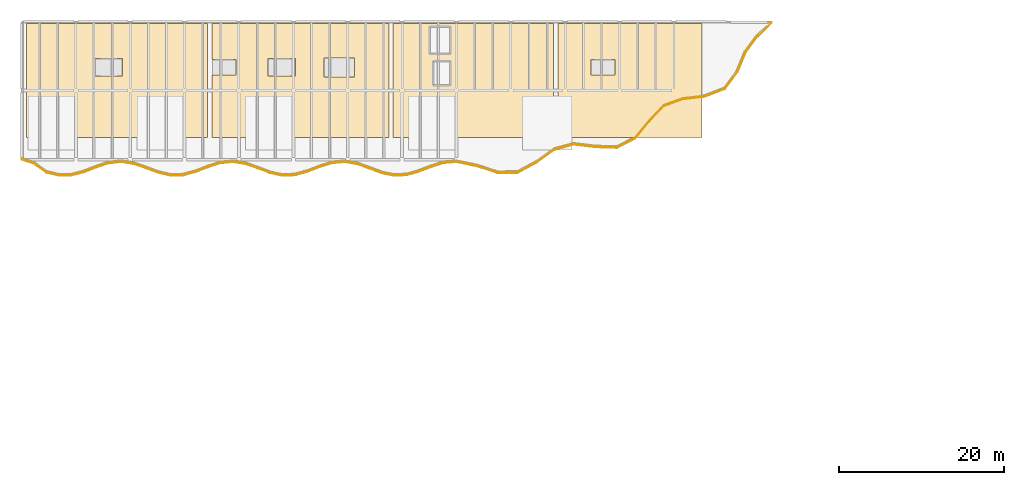
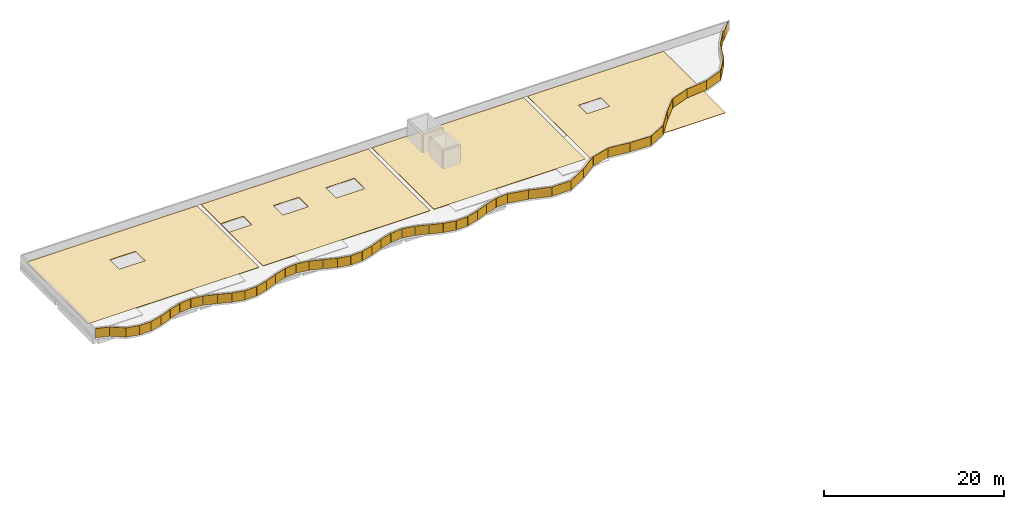
# One storey, part 19 of 19: 57 coverings.
"""IFC4 building model written with IfcOpenShell, lengths in metres."""

from ifc_helpers import new_model, si_unit, direction, frame, origin, origin_2d, place, context, subcontext, project, spatial, polyline, rectangle, outline, extrude, material, layer, layer_set, type_object, element, save


model = new_model("IFC4")

# Units and contexts
model_context = context("Model", 3, precision=1e-05, world=origin(), true_north=direction((0.0, 1.0)))
body_context = subcontext(model_context, "Body", "Model", "MODEL_VIEW")
ifc_project = project(units=[si_unit("LENGTHUNIT", "METRE"), si_unit("AREAUNIT", "SQUARE_METRE"), si_unit("VOLUMEUNIT", "CUBIC_METRE"), si_unit("PLANEANGLEUNIT", "RADIAN"), si_unit("MASSUNIT", "GRAM", prefix="KILO")], contexts=[model_context])

# Site, building, storey
site_placement = place(None, origin())
site = spatial("IfcSite", under=ifc_project, at=site_placement, CompositionType="ELEMENT")
building_placement = place(site_placement, origin())
building = spatial("IfcBuilding", under=site, at=building_placement, Name="Qaldarim Faculty of Natural and Applied Sciences", CompositionType="ELEMENT")
storey_placement = place(building_placement, frame((0.0, 0.0, 27.0)))
storey = spatial("IfcBuildingStorey", under=building, at=storey_placement, Name="L06", CompositionType="ELEMENT", Elevation=27.0)

# Coverings
ifc_material_1 = material(Name="White architectural precast concrete C40/50", Category="concrete")
ifc_layer_1 = layer(ifc_material_1, 0.06005859375)
ifc_layer_set_1 = layer_set([ifc_layer_1], Name="White architectural precast concrete C40/50")
covering_type_1 = type_object("IfcCoveringType", Name="LimestoneSpandrelCladding-60", PredefinedType="CLADDING", material=ifc_layer_set_1)
covering_1_placement = place(storey_placement, frame((60.1650390625, 100.574951171875, 0.0), z_axis=(0.0, 0.0, 1.0), x_axis=(0.947422707995, -0.319984706472, 0.0)))
element("IfcCovering", 1, at=covering_1_placement, inside=storey, type_object=covering_type_1, Name="White limestone wave band fascia L06 chord 01", PredefinedType="CLADDING", context=body_context, shape_type="SweptSolid", body=[
    extrude(rectangle(XDim=1.554931640625, YDim=0.06005859375, at=origin_2d()), origin(), (0.0, 0.0, 1.0), 1.25),
])
covering_2_placement = place(storey_placement, frame((61.679931640625, 99.77490234375, 0.0), z_axis=(0.0, 0.0, 1.0), x_axis=(0.812450016325, -0.583030849075, 0.0)))
element("IfcCovering", 2, at=covering_2_placement, inside=storey, type_object=covering_type_1, Name="White limestone wave band fascia L06 chord 02", PredefinedType="CLADDING", context=body_context, shape_type="SweptSolid", body=[
    extrude(rectangle(XDim=1.81005859375, YDim=0.06005859375, at=origin_2d()), origin(), (0.0, 0.0, 1.0), 1.25),
])
covering_3_placement = place(storey_placement, frame((63.179931640625, 99.054931640625, 0.0), z_axis=(0.0, 0.0, 1.0), x_axis=(0.972006126711, -0.234955505654, 0.0)))
element("IfcCovering", 3, at=covering_3_placement, inside=storey, type_object=covering_type_1, Name="White limestone wave band fascia L06 chord 03", PredefinedType="CLADDING", context=body_context, shape_type="SweptSolid", body=[
    extrude(rectangle(XDim=1.514892578125, YDim=0.06005859375, at=origin_2d()), origin(), (0.0, 0.0, 1.0), 1.25),
])
covering_4_placement = place(storey_placement, frame((64.679931640625, 98.885009765625, 0.0), z_axis=(0.0, 0.0, 1.0), x_axis=(0.999950688785, 0.009930760208, 0.0)))
element("IfcCovering", 4, at=covering_4_placement, inside=storey, type_object=covering_type_1, Name="White limestone wave band fascia L06 chord 04", PredefinedType="CLADDING", context=body_context, shape_type="SweptSolid", body=[
    extrude(rectangle(XDim=1.469970703125, YDim=0.06005859375, at=origin_2d()), origin(), (0.0, 0.0, 1.0), 1.25),
])
covering_5_placement = place(storey_placement, frame((66.179931640625, 99.080078125, 0.0), z_axis=(0.0, 0.0, 1.0), x_axis=(0.968998485261, 0.247066662181, 0.0)))
element("IfcCovering", 5, at=covering_5_placement, inside=storey, type_object=covering_type_1, Name="White limestone wave band fascia L06 chord 05", PredefinedType="CLADDING", context=body_context, shape_type="SweptSolid", body=[
    extrude(rectangle(XDim=1.52001953125, YDim=0.06005859375, at=origin_2d()), origin(), (0.0, 0.0, 1.0), 1.25),
])
covering_6_placement = place(storey_placement, frame((67.68505859375, 99.56005859375, 0.0), z_axis=(0.0, 0.0, 1.0), x_axis=(0.933104248084, 0.359605981886, 0.0)))
element("IfcCovering", 6, at=covering_6_placement, inside=storey, type_object=covering_type_1, Name="White limestone wave band fascia L06 chord 06", PredefinedType="CLADDING", context=body_context, shape_type="SweptSolid", body=[
    extrude(rectangle(XDim=1.574951171875, YDim=0.06005859375, at=origin_2d()), origin(), (0.0, 0.0, 1.0), 1.25),
])
covering_7_placement = place(storey_placement, frame((69.195068359375, 100.10498046875, 0.0), z_axis=(0.0, 0.0, 1.0), x_axis=(0.950244253402, 0.311505792684, 0.0)))
element("IfcCovering", 7, at=covering_7_placement, inside=storey, type_object=covering_type_1, Name="White limestone wave band fascia L06 chord 07", PredefinedType="CLADDING", context=body_context, shape_type="SweptSolid", body=[
    extrude(rectangle(XDim=1.550048828125, YDim=0.06005859375, at=origin_2d()), origin(), (0.0, 0.0, 1.0), 1.25),
])
for number, where, z_axis, x_axis, name in (
    (8, (70.715087890625, 100.43994140625, 0.0), (0.0, 0.0, 1.0), (0.99296964058, 0.118369307199, 0.0), "White limestone wave band fascia L06 chord 08"),
    (9, (72.22509765625, 100.419921875, 0.0), (0.0, 0.0, 1.0), (0.989008122724, -0.147861195676, 0.0), "White limestone wave band fascia L06 chord 09"),
):
    element("IfcCovering", number, at=place(storey_placement, frame(where, z_axis=z_axis, x_axis=x_axis)), inside=storey, type_object=covering_type_1, Name=name, PredefinedType="CLADDING", context=body_context, shape_type="SweptSolid", body=[
        extrude(rectangle(XDim=1.47998046875, YDim=0.06005859375, at=origin_2d()), origin(), (0.0, 0.0, 1.0), 1.25),
    ])
covering_8_placement = place(storey_placement, frame((73.739990234375, 100.0400390625, 0.0), z_axis=(0.0, 0.0, 1.0), x_axis=(0.945507210551, -0.325601159083, 0.0)))
element("IfcCovering", 10, at=covering_8_placement, inside=storey, type_object=covering_type_1, Name="White limestone wave band fascia L06 chord 10", PredefinedType="CLADDING", context=body_context, shape_type="SweptSolid", body=[
    extrude(rectangle(XDim=1.554931640625, YDim=0.06005859375, at=origin_2d()), origin(), (0.0, 0.0, 1.0), 1.25),
])
covering_9_placement = place(storey_placement, frame((75.25, 99.4951171875, 0.0), z_axis=(0.0, 0.0, 1.0), x_axis=(0.935561196091, -0.353164619362, 0.0)))
element("IfcCovering", 11, at=covering_9_placement, inside=storey, type_object=covering_type_1, Name="White limestone wave band fascia L06 chord 11", PredefinedType="CLADDING", context=body_context, shape_type="SweptSolid", body=[
    extrude(rectangle(XDim=1.574951171875, YDim=0.06005859375, at=origin_2d()), origin(), (0.0, 0.0, 1.0), 1.25),
])
covering_10_placement = place(storey_placement, frame((76.7548828125, 99.0400390625, 0.0), z_axis=(0.0, 0.0, 1.0), x_axis=(0.97417338697, -0.225801266869, 0.0)))
element("IfcCovering", 12, at=covering_10_placement, inside=storey, type_object=covering_type_1, Name="White limestone wave band fascia L06 chord 12", PredefinedType="CLADDING", context=body_context, shape_type="SweptSolid", body=[
    extrude(rectangle(XDim=1.510009765625, YDim=0.06005859375, at=origin_2d()), origin(), (0.0, 0.0, 1.0), 1.25),
])
covering_11_placement = place(storey_placement, frame((78.2548828125, 98.885009765625, 0.0), z_axis=(0.0, 0.0, 1.0), x_axis=(0.999729782402, 0.023245691612, 0.0)))
element("IfcCovering", 13, at=covering_11_placement, inside=storey, type_object=covering_type_1, Name="White limestone wave band fascia L06 chord 13", PredefinedType="CLADDING", context=body_context, shape_type="SweptSolid", body=[
    extrude(rectangle(XDim=1.465087890625, YDim=0.06005859375, at=origin_2d()), origin(), (0.0, 0.0, 1.0), 1.25),
])
covering_12_placement = place(storey_placement, frame((79.760009765625, 99.10009765625, 0.0), z_axis=(0.0, 0.0, 1.0), x_axis=(0.965862556031, 0.259055057578, 0.0)))
element("IfcCovering", 14, at=covering_12_placement, inside=storey, type_object=covering_type_1, Name="White limestone wave band fascia L06 chord 14", PredefinedType="CLADDING", context=body_context, shape_type="SweptSolid", body=[
    extrude(rectangle(XDim=1.52490234375, YDim=0.06005859375, at=origin_2d()), origin(), (0.0, 0.0, 1.0), 1.25),
])
covering_13_placement = place(storey_placement, frame((81.264892578125, 99.590087890625, 0.0), z_axis=(0.0, 0.0, 1.0), x_axis=(0.933505349614, 0.358563470311, 0.0)))
element("IfcCovering", 15, at=covering_13_placement, inside=storey, type_object=covering_type_1, Name="White limestone wave band fascia L06 chord 15", PredefinedType="CLADDING", context=body_context, shape_type="SweptSolid", body=[
    extrude(rectangle(XDim=1.580078125, YDim=0.06005859375, at=origin_2d()), origin(), (0.0, 0.0, 1.0), 1.25),
])
covering_14_placement = place(storey_placement, frame((82.77001953125, 100.1298828125, 0.0), z_axis=(0.0, 0.0, 1.0), x_axis=(0.951798041205, 0.306725428939, 0.0)))
element("IfcCovering", 16, at=covering_14_placement, inside=storey, type_object=covering_type_1, Name="White limestone wave band fascia L06 chord 16", PredefinedType="CLADDING", context=body_context, shape_type="SweptSolid", body=[
    extrude(rectangle(XDim=1.5400390625, YDim=0.06005859375, at=origin_2d()), origin(), (0.0, 0.0, 1.0), 1.25),
])
covering_15_placement = place(storey_placement, frame((84.284912109375, 100.449951171875, 0.0), z_axis=(0.0, 0.0, 1.0), x_axis=(0.994772555338, 0.102115440296, 0.0)))
element("IfcCovering", 17, at=covering_15_placement, inside=storey, type_object=covering_type_1, Name="White limestone wave band fascia L06 chord 17", PredefinedType="CLADDING", context=body_context, shape_type="SweptSolid", body=[
    extrude(rectangle(XDim=1.47998046875, YDim=0.06005859375, at=origin_2d()), origin(), (0.0, 0.0, 1.0), 1.25),
])
covering_16_placement = place(storey_placement, frame((85.804931640625, 100.405029296875, 0.0), z_axis=(0.0, 0.0, 1.0), x_axis=(0.987603556842, -0.156968832936, 0.0)))
element("IfcCovering", 18, at=covering_16_placement, inside=storey, type_object=covering_type_1, Name="White limestone wave band fascia L06 chord 18", PredefinedType="CLADDING", context=body_context, shape_type="SweptSolid", body=[
    extrude(rectangle(XDim=1.489990234375, YDim=0.06005859375, at=origin_2d()), origin(), (0.0, 0.0, 1.0), 1.25),
])
covering_17_placement = place(storey_placement, frame((87.320068359375, 100.014892578125, 0.0), z_axis=(0.0, 0.0, 1.0), x_axis=(0.943564198822, -0.331189677831, 0.0)))
element("IfcCovering", 19, at=covering_17_placement, inside=storey, type_object=covering_type_1, Name="White limestone wave band fascia L06 chord 19", PredefinedType="CLADDING", context=body_context, shape_type="SweptSolid", body=[
    extrude(rectangle(XDim=1.56005859375, YDim=0.06005859375, at=origin_2d()), origin(), (0.0, 0.0, 1.0), 1.25),
])
covering_18_placement = place(storey_placement, frame((88.830078125, 99.469970703125, 0.0), z_axis=(0.0, 0.0, 1.0), x_axis=(0.936200698605, -0.351465861686, 0.0)))
element("IfcCovering", 20, at=covering_18_placement, inside=storey, type_object=covering_type_1, Name="White limestone wave band fascia L06 chord 20", PredefinedType="CLADDING", context=body_context, shape_type="SweptSolid", body=[
    extrude(rectangle(XDim=1.570068359375, YDim=0.06005859375, at=origin_2d()), origin(), (0.0, 0.0, 1.0), 1.25),
])
covering_19_placement = place(storey_placement, frame((90.330078125, 99.02001953125, 0.0), z_axis=(0.0, 0.0, 1.0), x_axis=(0.97626199682, -0.216592967485, 0.0)))
element("IfcCovering", 21, at=covering_19_placement, inside=storey, type_object=covering_type_1, Name="White limestone wave band fascia L06 chord 21", PredefinedType="CLADDING", context=body_context, shape_type="SweptSolid", body=[
    extrude(rectangle(XDim=1.5048828125, YDim=0.06005859375, at=origin_2d()), origin(), (0.0, 0.0, 1.0), 1.25),
])
covering_20_placement = place(storey_placement, frame((91.8349609375, 98.885009765625, 0.0), z_axis=(0.0, 0.0, 1.0), x_axis=(0.999211810795, 0.039695807925, 0.0)))
element("IfcCovering", 22, at=covering_20_placement, inside=storey, type_object=covering_type_1, Name="White limestone wave band fascia L06 chord 22", PredefinedType="CLADDING", context=body_context, shape_type="SweptSolid", body=[
    extrude(rectangle(XDim=1.469970703125, YDim=0.06005859375, at=origin_2d()), origin(), (0.0, 0.0, 1.0), 1.25),
])
covering_21_placement = place(storey_placement, frame((93.3349609375, 99.1201171875, 0.0), z_axis=(0.0, 0.0, 1.0), x_axis=(0.964021209386, 0.265825333355, 0.0)))
element("IfcCovering", 23, at=covering_21_placement, inside=storey, type_object=covering_type_1, Name="White limestone wave band fascia L06 chord 23", PredefinedType="CLADDING", context=body_context, shape_type="SweptSolid", body=[
    extrude(rectangle(XDim=1.52001953125, YDim=0.06005859375, at=origin_2d()), origin(), (0.0, 0.0, 1.0), 1.25),
])
covering_22_placement = place(storey_placement, frame((94.840087890625, 99.6201171875, 0.0), z_axis=(0.0, 0.0, 1.0), x_axis=(0.932468891499, 0.361250282195, 0.0)))
element("IfcCovering", 24, at=covering_22_placement, inside=storey, type_object=covering_type_1, Name="White limestone wave band fascia L06 chord 24", PredefinedType="CLADDING", context=body_context, shape_type="SweptSolid", body=[
    extrude(rectangle(XDim=1.580078125, YDim=0.06005859375, at=origin_2d()), origin(), (0.0, 0.0, 1.0), 1.25),
])
covering_23_placement = place(storey_placement, frame((96.35498046875, 100.14990234375, 0.0), z_axis=(0.0, 0.0, 1.0), x_axis=(0.954817873784, 0.297191567684, 0.0)))
element("IfcCovering", 25, at=covering_23_placement, inside=storey, type_object=covering_type_1, Name="White limestone wave band fascia L06 chord 25", PredefinedType="CLADDING", context=body_context, shape_type="SweptSolid", body=[
    extrude(rectangle(XDim=1.5400390625, YDim=0.06005859375, at=origin_2d()), origin(), (0.0, 0.0, 1.0), 1.25),
])
covering_24_placement = place(storey_placement, frame((97.864990234375, 100.455078125, 0.0), z_axis=(0.0, 0.0, 1.0), x_axis=(0.995729533332, 0.092318451297, 0.0)))
element("IfcCovering", 26, at=covering_24_placement, inside=storey, type_object=covering_type_1, Name="White limestone wave band fascia L06 chord 26", PredefinedType="CLADDING", context=body_context, shape_type="SweptSolid", body=[
    extrude(rectangle(XDim=1.47509765625, YDim=0.06005859375, at=origin_2d()), origin(), (0.0, 0.0, 1.0), 1.25),
])
covering_25_placement = place(storey_placement, frame((99.385009765625, 100.39501953125, 0.0), z_axis=(0.0, 0.0, 1.0), x_axis=(0.984850153867, -0.173407538556, 0.0)))
element("IfcCovering", 27, at=covering_25_placement, inside=storey, type_object=covering_type_1, Name="White limestone wave band fascia L06 chord 27", PredefinedType="CLADDING", context=body_context, shape_type="SweptSolid", body=[
    extrude(rectangle(XDim=1.489990234375, YDim=0.06005859375, at=origin_2d()), origin(), (0.0, 0.0, 1.0), 1.25),
])
covering_26_placement = place(storey_placement, frame((100.89501953125, 99.989990234375, 0.0), z_axis=(0.0, 0.0, 1.0), x_axis=(0.942589045204, -0.333954924894, 0.0)))
element("IfcCovering", 28, at=covering_26_placement, inside=storey, type_object=covering_type_1, Name="White limestone wave band fascia L06 chord 28", PredefinedType="CLADDING", context=body_context, shape_type="SweptSolid", body=[
    extrude(rectangle(XDim=1.56005859375, YDim=0.06005859375, at=origin_2d()), origin(), (0.0, 0.0, 1.0), 1.25),
])
covering_27_placement = place(storey_placement, frame((102.405029296875, 99.43994140625, 0.0), z_axis=(0.0, 0.0, 1.0), x_axis=(0.937597957391, -0.347721253731, 0.0)))
element("IfcCovering", 29, at=covering_27_placement, inside=storey, type_object=covering_type_1, Name="White limestone wave band fascia L06 chord 29", PredefinedType="CLADDING", context=body_context, shape_type="SweptSolid", body=[
    extrude(rectangle(XDim=1.570068359375, YDim=0.06005859375, at=origin_2d()), origin(), (0.0, 0.0, 1.0), 1.25),
])
covering_28_placement = place(storey_placement, frame((103.909912109375, 99.0048828125, 0.0), z_axis=(0.0, 0.0, 1.0), x_axis=(0.978792371297, -0.204854811734, 0.0)))
element("IfcCovering", 30, at=covering_28_placement, inside=storey, type_object=covering_type_1, Name="White limestone wave band fascia L06 chord 30", PredefinedType="CLADDING", context=body_context, shape_type="SweptSolid", body=[
    extrude(rectangle(XDim=1.5, YDim=0.06005859375, at=origin_2d()), origin(), (0.0, 0.0, 1.0), 1.25),
])
covering_29_placement = place(storey_placement, frame((105.409912109375, 98.889892578125, 0.0), z_axis=(0.0, 0.0, 1.0), x_axis=(0.998769194721, 0.049599351563, 0.0)))
element("IfcCovering", 31, at=covering_29_placement, inside=storey, type_object=covering_type_1, Name="White limestone wave band fascia L06 chord 31", PredefinedType="CLADDING", context=body_context, shape_type="SweptSolid", body=[
    extrude(rectangle(XDim=1.469970703125, YDim=0.06005859375, at=origin_2d()), origin(), (0.0, 0.0, 1.0), 1.25),
])
covering_30_placement = place(storey_placement, frame((106.909912109375, 99.139892578125, 0.0), z_axis=(0.0, 0.0, 1.0), x_axis=(0.960919392643, 0.276828323772, 0.0)))
element("IfcCovering", 32, at=covering_30_placement, inside=storey, type_object=covering_type_1, Name="White limestone wave band fascia L06 chord 32", PredefinedType="CLADDING", context=body_context, shape_type="SweptSolid", body=[
    extrude(rectangle(XDim=1.530029296875, YDim=0.06005859375, at=origin_2d()), origin(), (0.0, 0.0, 1.0), 1.25),
])
covering_31_placement = place(storey_placement, frame((108.419921875, 99.64990234375, 0.0), z_axis=(0.0, 0.0, 1.0), x_axis=(0.932468891499, 0.361250282195, 0.0)))
element("IfcCovering", 33, at=covering_31_placement, inside=storey, type_object=covering_type_1, Name="White limestone wave band fascia L06 chord 33", PredefinedType="CLADDING", context=body_context, shape_type="SweptSolid", body=[
    extrude(rectangle(XDim=1.580078125, YDim=0.06005859375, at=origin_2d()), origin(), (0.0, 0.0, 1.0), 1.25),
])
covering_32_placement = place(storey_placement, frame((109.929931640625, 100.175048828125, 0.0), z_axis=(0.0, 0.0, 1.0), x_axis=(0.956325165028, 0.292304941344, 0.0)))
element("IfcCovering", 34, at=covering_32_placement, inside=storey, type_object=covering_type_1, Name="White limestone wave band fascia L06 chord 34", PredefinedType="CLADDING", context=body_context, shape_type="SweptSolid", body=[
    extrude(rectangle(XDim=1.534912109375, YDim=0.06005859375, at=origin_2d()), origin(), (0.0, 0.0, 1.0), 1.25),
])
covering_33_placement = place(storey_placement, frame((111.445068359375, 100.465087890625, 0.0), z_axis=(0.0, 0.0, 1.0), x_axis=(0.997112699688, 0.075935921145, 0.0)))
element("IfcCovering", 35, at=covering_33_placement, inside=storey, type_object=covering_type_1, Name="White limestone wave band fascia L06 chord 35", PredefinedType="CLADDING", context=body_context, shape_type="SweptSolid", body=[
    extrude(rectangle(XDim=1.47509765625, YDim=0.06005859375, at=origin_2d()), origin(), (0.0, 0.0, 1.0), 1.25),
])
covering_34_placement = place(storey_placement, frame((113.425048828125, 100.264892578125, 0.0), z_axis=(0.0, 0.0, 1.0), x_axis=(0.979080999763, -0.203470872369, 0.0)))
element("IfcCovering", 36, at=covering_34_placement, inside=storey, type_object=covering_type_1, Name="White limestone wave band fascia L06 chord 36", PredefinedType="CLADDING", context=body_context, shape_type="SweptSolid", body=[
    extrude(rectangle(XDim=2.43994140625, YDim=0.06005859375, at=origin_2d()), origin(), (0.0, 0.0, 1.0), 1.25),
])
covering_35_placement = place(storey_placement, frame((115.89990234375, 99.610107421875, 0.0), z_axis=(0.0, 0.0, 1.0), x_axis=(0.95129892432, -0.308269941102, 0.0)))
element("IfcCovering", 37, at=covering_35_placement, inside=storey, type_object=covering_type_1, Name="White limestone wave band fascia L06 chord 37", PredefinedType="CLADDING", context=body_context, shape_type="SweptSolid", body=[
    extrude(rectangle(XDim=2.60498046875, YDim=0.06005859375, at=origin_2d()), origin(), (0.0, 0.0, 1.0), 1.25),
])
covering_36_placement = place(storey_placement, frame((118.39501953125, 99.205078125, 0.0), z_axis=(0.0, 0.0, 1.0), x_axis=(0.99999194288, 0.004014246498, 0.0)))
element("IfcCovering", 38, at=covering_36_placement, inside=storey, type_object=covering_type_1, Name="White limestone wave band fascia L06 chord 38", PredefinedType="CLADDING", context=body_context, shape_type="SweptSolid", body=[
    extrude(rectangle(XDim=2.455078125, YDim=0.06005859375, at=origin_2d()), origin(), (0.0, 0.0, 1.0), 1.25),
])
covering_37_placement = place(storey_placement, frame((120.77490234375, 99.830078125, 0.0), z_axis=(0.0, 0.0, 1.0), x_axis=(0.879424342577, 0.476038680869, 0.0)))
element("IfcCovering", 39, at=covering_37_placement, inside=storey, type_object=covering_type_1, Name="White limestone wave band fascia L06 chord 39", PredefinedType="CLADDING", context=body_context, shape_type="SweptSolid", body=[
    extrude(rectangle(XDim=2.574951171875, YDim=0.06005859375, at=origin_2d()), origin(), (0.0, 0.0, 1.0), 1.25),
])
covering_38_placement = place(storey_placement, frame((123.0, 101.22509765625, 0.0), z_axis=(0.0, 0.0, 1.0), x_axis=(0.812073342053, 0.583555384799, 0.0)))
element("IfcCovering", 40, at=covering_38_placement, inside=storey, type_object=covering_type_1, Name="White limestone wave band fascia L06 chord 40", PredefinedType="CLADDING", context=body_context, shape_type="SweptSolid", body=[
    extrude(rectangle(XDim=2.610107421875, YDim=0.06005859375, at=origin_2d()), origin(), (0.0, 0.0, 1.0), 1.25),
])
covering_39_placement = place(storey_placement, frame((125.239990234375, 102.31494140625, 0.0), z_axis=(0.0, 0.0, 1.0), x_axis=(0.964377582333, 0.264529542194, 0.0)))
element("IfcCovering", 41, at=covering_39_placement, inside=storey, type_object=covering_type_1, Name="White limestone wave band fascia L06 chord 41", PredefinedType="CLADDING", context=body_context, shape_type="SweptSolid", body=[
    extrude(rectangle(XDim=2.360107421875, YDim=0.06005859375, at=origin_2d()), origin(), (0.0, 0.0, 1.0), 1.25),
])
covering_40_placement = place(storey_placement, frame((127.719970703125, 102.47998046875, 0.0), z_axis=(0.0, 0.0, 1.0), x_axis=(0.992903375823, -0.118923867576, 0.0)))
element("IfcCovering", 42, at=covering_40_placement, inside=storey, type_object=covering_type_1, Name="White limestone wave band fascia L06 chord 42", PredefinedType="CLADDING", context=body_context, shape_type="SweptSolid", body=[
    extrude(rectangle(XDim=2.610107421875, YDim=0.06005859375, at=origin_2d()), origin(), (0.0, 0.0, 1.0), 1.25),
])
covering_41_placement = place(storey_placement, frame((130.364990234375, 102.280029296875, 0.0), z_axis=(0.0, 0.0, 1.0), x_axis=(0.999487744865, -0.032003872646, 0.0)))
element("IfcCovering", 43, at=covering_41_placement, inside=storey, type_object=covering_type_1, Name="White limestone wave band fascia L06 chord 43", PredefinedType="CLADDING", context=body_context, shape_type="SweptSolid", body=[
    extrude(rectangle(XDim=2.614990234375, YDim=0.06005859375, at=origin_2d()), origin(), (0.0, 0.0, 1.0), 1.25),
])
covering_42_placement = place(storey_placement, frame((132.784912109375, 102.804931640625, 0.0), z_axis=(0.0, 0.0, 1.0), x_axis=(0.888328879254, 0.459207798588, 0.0)))
element("IfcCovering", 44, at=covering_42_placement, inside=storey, type_object=covering_type_1, Name="White limestone wave band fascia L06 chord 44", PredefinedType="CLADDING", context=body_context, shape_type="SweptSolid", body=[
    extrude(rectangle(XDim=2.455078125, YDim=0.06005859375, at=origin_2d()), origin(), (0.0, 0.0, 1.0), 1.25),
])
covering_43_placement = place(storey_placement, frame((134.7451171875, 104.4150390625, 0.0), z_axis=(0.0, 0.0, 1.0), x_axis=(0.636737889677, 0.771080319973, 0.0)))
element("IfcCovering", 45, at=covering_43_placement, inside=storey, type_object=covering_type_1, Name="White limestone wave band fascia L06 chord 45", PredefinedType="CLADDING", context=body_context, shape_type="SweptSolid", body=[
    extrude(rectangle(XDim=2.675048828125, YDim=0.06005859375, at=origin_2d()), origin(), (0.0, 0.0, 1.0), 1.25),
])
covering_44_placement = place(storey_placement, frame((136.489990234375, 106.385009765625, 0.0), z_axis=(0.0, 0.0, 1.0), x_axis=(0.689214982334, 0.724556904685, 0.0)))
element("IfcCovering", 46, at=covering_44_placement, inside=storey, type_object=covering_type_1, Name="White limestone wave band fascia L06 chord 46", PredefinedType="CLADDING", context=body_context, shape_type="SweptSolid", body=[
    extrude(rectangle(XDim=2.5048828125, YDim=0.06005859375, at=origin_2d()), origin(), (0.0, 0.0, 1.0), 1.25),
])
covering_45_placement = place(storey_placement, frame((138.530029296875, 107.72998046875, 0.0), z_axis=(0.0, 0.0, 1.0), x_axis=(0.941276235736, 0.337637450588, 0.0)))
element("IfcCovering", 47, at=covering_45_placement, inside=storey, type_object=covering_type_1, Name="White limestone wave band fascia L06 chord 47", PredefinedType="CLADDING", context=body_context, shape_type="SweptSolid", body=[
    extrude(rectangle(XDim=2.405029296875, YDim=0.06005859375, at=origin_2d()), origin(), (0.0, 0.0, 1.0), 1.25),
])
covering_46_placement = place(storey_placement, frame((141.0400390625, 108.300048828125, 0.0), z_axis=(0.0, 0.0, 1.0), x_axis=(0.993472688925, 0.114070225565, 0.0)))
element("IfcCovering", 48, at=covering_46_placement, inside=storey, type_object=covering_type_1, Name="White limestone wave band fascia L06 chord 48", PredefinedType="CLADDING", context=body_context, shape_type="SweptSolid", body=[
    extrude(rectangle(XDim=2.679931640625, YDim=0.06005859375, at=origin_2d()), origin(), (0.0, 0.0, 1.0), 1.25),
])
covering_47_placement = place(storey_placement, frame((143.570068359375, 108.919921875, 0.0), z_axis=(0.0, 0.0, 1.0), x_axis=(0.931672206518, 0.363300013214, 0.0)))
element("IfcCovering", 49, at=covering_47_placement, inside=storey, type_object=covering_type_1, Name="White limestone wave band fascia L06 chord 49", PredefinedType="CLADDING", context=body_context, shape_type="SweptSolid", body=[
    extrude(rectangle(XDim=2.52001953125, YDim=0.06005859375, at=origin_2d()), origin(), (0.0, 0.0, 1.0), 1.25),
])
covering_48_placement = place(storey_placement, frame((145.52490234375, 110.39990234375, 0.0), z_axis=(0.0, 0.0, 1.0), x_axis=(0.601870776962, 0.798593493487, 0.0)))
element("IfcCovering", 50, at=covering_48_placement, inside=storey, type_object=covering_type_1, Name="White limestone wave band fascia L06 chord 50", PredefinedType="CLADDING", context=body_context, shape_type="SweptSolid", body=[
    extrude(rectangle(XDim=2.52490234375, YDim=0.06005859375, at=origin_2d()), origin(), (0.0, 0.0, 1.0), 1.25),
])
covering_49_placement = place(storey_placement, frame((146.820068359375, 112.669921875, 0.0), z_axis=(0.0, 0.0, 1.0), x_axis=(0.388142988974, 0.921599164556, 0.0)))
element("IfcCovering", 51, at=covering_49_placement, inside=storey, type_object=covering_type_1, Name="White limestone wave band fascia L06 chord 51", PredefinedType="CLADDING", context=body_context, shape_type="SweptSolid", body=[
    extrude(rectangle(XDim=2.679931640625, YDim=0.06005859375, at=origin_2d()), origin(), (0.0, 0.0, 1.0), 1.25),
])
covering_50_placement = place(storey_placement, frame((148.080078125, 114.905029296875, 0.0), z_axis=(0.0, 0.0, 1.0), x_axis=(0.597037254219, 0.802213510903, 0.0)))
element("IfcCovering", 52, at=covering_50_placement, inside=storey, type_object=covering_type_1, Name="White limestone wave band fascia L06 chord 52", PredefinedType="CLADDING", context=body_context, shape_type="SweptSolid", body=[
    extrude(rectangle(XDim=2.39501953125, YDim=0.06005859375, at=origin_2d()), origin(), (0.0, 0.0, 1.0), 1.25),
])
covering_51_placement = place(storey_placement, frame((149.6298828125, 116.580078125, 0.0), z_axis=(0.0, 0.0, 1.0), x_axis=(0.6880380059, 0.725674653296, 0.0)))
element("IfcCovering", 53, at=covering_51_placement, inside=storey, type_object=covering_type_1, Name="White limestone wave band fascia L06 chord 53", PredefinedType="CLADDING", context=body_context, shape_type="SweptSolid", body=[
    extrude(rectangle(XDim=2.35009765625, YDim=0.06005859375, at=origin_2d()), origin(), (0.0, 0.0, 1.0), 1.25),
])
ifc_material_2 = material(Name="Elastomeric bitumen roofing membrane")
ifc_layer_2 = layer(ifc_material_2, 0.050048828125)
ifc_layer_set_2 = layer_set([ifc_layer_2], Name="Elastomeric bitumen roofing membrane")
covering_type_2 = type_object("IfcCoveringType", Name="MembraneRoofing-50", PredefinedType="ROOFING", material=ifc_layer_set_2)
covering_52_placement = place(storey_placement, origin())
element("IfcCovering", 54, at=covering_52_placement, inside=storey, type_object=covering_type_2, Name="Elastomeric roof waterproofing membrane V4 L06 zone 1", PredefinedType="ROOFING", context=body_context, shape_type="SweptSolid", body=[
    extrude(outline(polyline([(60.0, 103.5), (82.0, 103.5), (82.0, 117.300048828125), (60.0, 117.300048828125), (60.0, 103.5)]), holes=[polyline([(68.35009765625, 110.949951171875), (71.64990234375, 110.949951171875), (71.64990234375, 113.050048828125), (68.35009765625, 113.050048828125), (68.35009765625, 110.949951171875)])]), origin(), (0.0, 0.0, 1.0), 0.050048828125),
])
covering_53_placement = place(storey_placement, origin())
element("IfcCovering", 55, at=covering_53_placement, inside=storey, type_object=covering_type_2, Name="Elastomeric roof waterproofing membrane V4 L06 zone 2", PredefinedType="ROOFING", context=body_context, shape_type="SweptSolid", body=[
    extrude(outline(polyline([(82.5, 103.5), (104.0, 103.5), (104.0, 117.300048828125), (82.5, 117.300048828125), (82.5, 103.5)]), holes=[polyline([(82.550048828125, 111.050048828125), (85.449951171875, 111.050048828125), (85.449951171875, 112.949951171875), (82.550048828125, 112.949951171875), (82.550048828125, 111.050048828125)]), polyline([(96.14990234375, 110.85009765625), (99.85009765625, 110.85009765625), (99.85009765625, 113.14990234375), (96.14990234375, 113.14990234375), (96.14990234375, 110.85009765625)]), polyline([(89.35009765625, 110.949951171875), (92.64990234375, 110.949951171875), (92.64990234375, 113.050048828125), (89.35009765625, 113.050048828125), (89.35009765625, 110.949951171875)])]), origin(), (0.0, 0.0, 1.0), 0.050048828125),
])
covering_54_placement = place(storey_placement, origin())
element("IfcCovering", 56, at=covering_54_placement, inside=storey, type_object=covering_type_2, Name="Elastomeric roof waterproofing membrane V4 L06 zone 3", PredefinedType="ROOFING", context=body_context, shape_type="SweptSolid", body=[
    extrude(outline(polyline([(104.5, 103.5), (124.0, 103.5), (124.0, 117.300048828125), (104.5, 117.300048828125), (104.5, 103.5)])), origin(), (0.0, 0.0, 1.0), 0.050048828125),
])
covering_55_placement = place(storey_placement, origin())
element("IfcCovering", 57, at=covering_55_placement, inside=storey, type_object=covering_type_2, Name="Elastomeric roof waterproofing membrane V4 L06 zone 4", PredefinedType="ROOFING", context=body_context, shape_type="SweptSolid", body=[
    extrude(outline(polyline([(124.5, 103.5), (142.0, 103.5), (142.0, 117.300048828125), (124.5, 117.300048828125), (124.5, 103.5)]), holes=[polyline([(128.550048828125, 111.050048828125), (131.449951171875, 111.050048828125), (131.449951171875, 112.949951171875), (128.550048828125, 112.949951171875), (128.550048828125, 111.050048828125)])]), origin(), (0.0, 0.0, 1.0), 0.050048828125),
])

save(model, "model.ifc")
